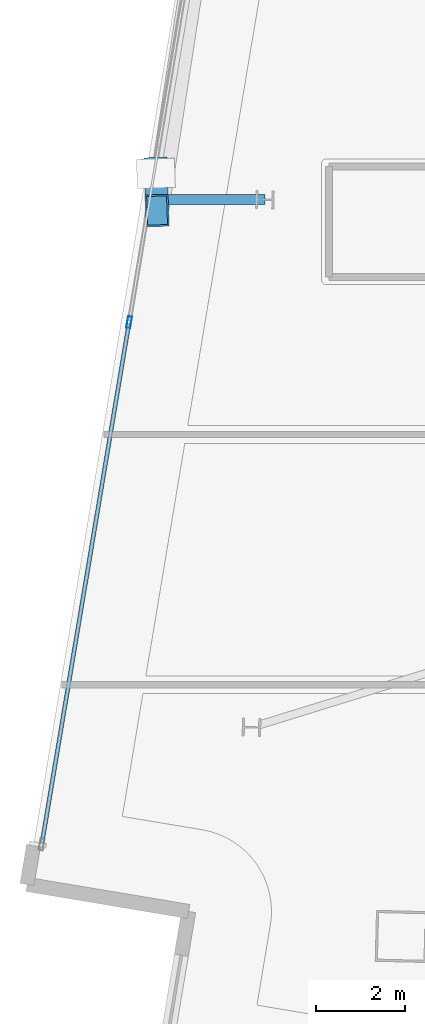
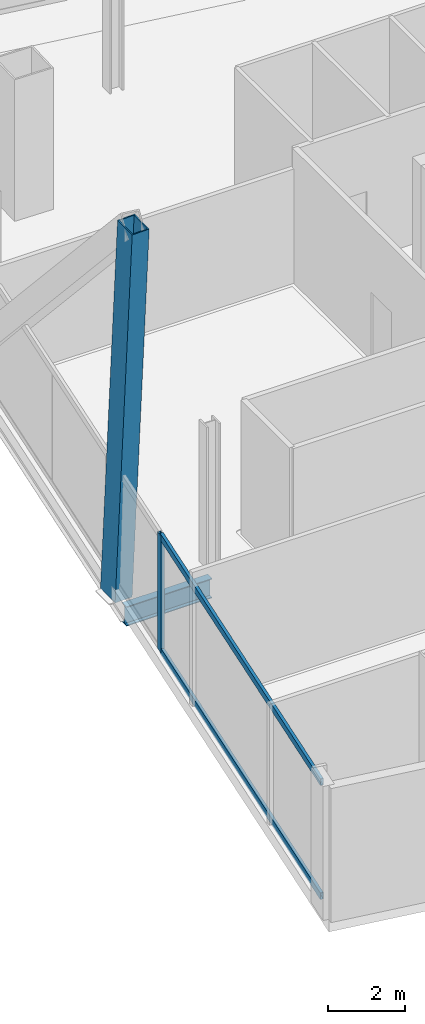
# One storey, part 4 of 18: 4 members, 1 beam, 1 element without a shape of its own.
"""IFC4 building model written with IfcOpenShell, lengths in metres."""

from ifc_helpers import new_model, si_unit, direction, frame, origin, origin_2d, place, context, subcontext, project, spatial, hollow_rectangle, i_section, extrude, material, material_profile, profile_set, type_object, element, aggregate, save


model = new_model("IFC4")

# Units and contexts
model_context = context("Model", 3, precision=1e-05, world=origin(), true_north=direction((0.0, 1.0)))
body_context = subcontext(model_context, "Body", "Model", "MODEL_VIEW")
ifc_project = project(units=[si_unit("LENGTHUNIT", "METRE"), si_unit("AREAUNIT", "SQUARE_METRE"), si_unit("VOLUMEUNIT", "CUBIC_METRE"), si_unit("PLANEANGLEUNIT", "RADIAN"), si_unit("MASSUNIT", "GRAM", prefix="KILO")], contexts=[model_context])

# Site, building, storey
site_placement = place(None, origin())
site = spatial("IfcSite", under=ifc_project, at=site_placement, CompositionType="ELEMENT")
building_placement = place(site_placement, origin())
building = spatial("IfcBuilding", under=site, at=building_placement, Name="Haldenkirk Collegiate Tower", CompositionType="ELEMENT")
storey_placement = place(building_placement, frame((0.0, 0.0, 298.199951171875)))
storey = spatial("IfcBuildingStorey", under=building, at=storey_placement, Name="L75", CompositionType="ELEMENT", Elevation=298.199951171875)

# Beam
ifc_material_1 = material(Name="Steel ASTM A992 Grade 50", Category="steel")
ifc_material_profile_1 = material_profile(ifc_material_1, i_section(OverallWidth=0.22998046875, OverallDepth=0.616943359375, WebThickness=0.01318359375, FlangeThickness=0.022216796875, at=origin_2d()), Name="W24X94")
ifc_profile_set_1 = profile_set([ifc_material_profile_1], Name="Steel ASTM A992 Grade 50")
beam_type = type_object("IfcBeamType", Name="BM-GIRDER-W24X94", PredefinedType="BEAM", material=ifc_profile_set_1)
beam_placement = place(storey_placement, frame((16.25634765625, 26.499755859375, -0.70849609375), z_axis=(-1.0, 0.0, 0.0), x_axis=(0.0, -1.0, 0.0)))
element("IfcBeam", 1, at=beam_placement, inside=storey, type_object=beam_type, Name="L75 facade lookout girder 12", PredefinedType="BEAM", context=body_context, shape_type="SweptSolid", body=[
    extrude(i_section(OverallWidth=0.22998046875, OverallDepth=0.616943359375, WebThickness=0.01318359375, FlangeThickness=0.022216796875, at=origin_2d()), origin(), (0.0, 0.0, 1.0), 2.559814453125),
])

# Curtain wall, members
ifc_material_2 = material(Name="Anodised architectural bronze aluminium", Category="aluminium")
curtain_wall_type = type_object("IfcCurtainWallType", Name="CW-SYS4-SKYGARDEN", PredefinedType="USERDEFINED", material=ifc_material_2)
curtain_wall_placement = place(storey_placement, origin())
curtain_wall = element("IfcCurtainWall", 2, at=curtain_wall_placement, inside=storey, type_object=curtain_wall_type, Name="L75 Sky-garden tall bronze curtain wall", ObjectType="UNITISED CURTAIN WALL", PredefinedType="USERDEFINED")
ifc_material_profile_2 = material_profile(ifc_material_2, hollow_rectangle(XDim=0.090087890625, YDim=0.260009765625, WallThickness=0.0048828125, at=origin_2d()), Name="CW-MUL-04")
ifc_profile_set_2 = profile_set([ifc_material_profile_2], Name="Anodised architectural bronze aluminium")
member_type_1 = type_object("IfcMemberType", Name="CW-MUL-04", PredefinedType="MULLION", material=ifc_profile_set_2)
member_1_placement = place(storey_placement, frame((13.193115234375, 23.733154296875, 0.0), z_axis=(0.0, 0.0, 1.0), x_axis=(-0.986285150019, 0.165050304006, 0.0)))
member_1 = element("IfcMember", 3, at=member_1_placement, type_object=member_type_1, Name="CW-04 mullion 2", PredefinedType="MULLION", context=body_context, shape_type="SweptSolid", body=[
    extrude(hollow_rectangle(XDim=0.090087890625, YDim=0.260009765625, WallThickness=0.0048828125, at=origin_2d()), origin(), (0.0, 0.0, 1.0), 3.697998046875),
])
ifc_material_profile_3 = material_profile(ifc_material_2, hollow_rectangle(XDim=0.090087890625, YDim=0.2099609375, WallThickness=0.0048828125, at=origin_2d()), Name="CW-TRN-04")
ifc_profile_set_3 = profile_set([ifc_material_profile_3], Name="Anodised architectural bronze aluminium")
member_type_2 = type_object("IfcMemberType", Name="CW-TRN-04", PredefinedType="USERDEFINED", material=ifc_profile_set_3)
member_2_placement = place(storey_placement, frame((11.227294921875, 11.986572265625, 0.045166015625), z_axis=(0.165046286019, 0.986285822402, 0.0), x_axis=(-0.986285822402, 0.165046286019, 0.0)))
member_2 = element("IfcMember", 4, at=member_2_placement, type_object=member_type_2, Name="CW-04 transom 1.1", ObjectType="TRANSOM", PredefinedType="USERDEFINED", context=body_context, shape_type="SweptSolid", body=[
    extrude(hollow_rectangle(XDim=0.090087890625, YDim=0.2099609375, WallThickness=0.0048828125, at=origin_2d()), origin(), (0.0, 0.0, 1.0), 11.86474609375),
])
member_3_placement = place(storey_placement, frame((11.227294921875, 11.986572265625, 3.653076171875), z_axis=(0.165046286019, 0.986285822402, 0.0), x_axis=(-0.986285822402, 0.165046286019, 0.0)))
member_3 = element("IfcMember", 5, at=member_3_placement, type_object=member_type_2, Name="CW-04 transom 1.2", ObjectType="TRANSOM", PredefinedType="USERDEFINED", context=body_context, shape_type="SweptSolid", body=[
    extrude(hollow_rectangle(XDim=0.090087890625, YDim=0.2099609375, WallThickness=0.0048828125, at=origin_2d()), origin(), (0.0, 0.0, 1.0), 11.86474609375),
])
aggregate(curtain_wall, [member_1, member_2, member_3])

# Member
ifc_material_3 = material(Name="Steel ASTM A572 Grade 50", Category="steel")
ifc_material_profile_4 = material_profile(ifc_material_3, hollow_rectangle(XDim=0.52001953125, YDim=0.719970703125, WallThickness=0.035888671875, at=origin_2d()), Name="BOX720X520X36")
ifc_profile_set_4 = profile_set([ifc_material_profile_4], Name="Steel ASTM A572 Grade 50")
member_type_3 = type_object("IfcMemberType", Name="MBR-MEGABRACE-BOX720X520X36", PredefinedType="BRACE", material=ifc_profile_set_4)
member_4_placement = place(storey_placement, frame((13.795654296875, 27.091552734375, -0.409912109375), z_axis=(0.002267105683, -0.068815685768, 0.997626814808), x_axis=(0.999457767797, 0.032926742787, 0.0)))
element("IfcMember", 6, at=member_4_placement, inside=storey, type_object=member_type_3, Name="Perimeter Mega Brace Z6 L75-L77 NR", PredefinedType="BRACE", context=body_context, shape_type="SweptSolid", body=[
    extrude(hollow_rectangle(XDim=0.52001953125, YDim=0.719970703125, WallThickness=0.035888671875, at=origin_2d()), origin(), (0.0, 0.0, 1.0), 12.168701171875),
])

save(model, "model.ifc")
